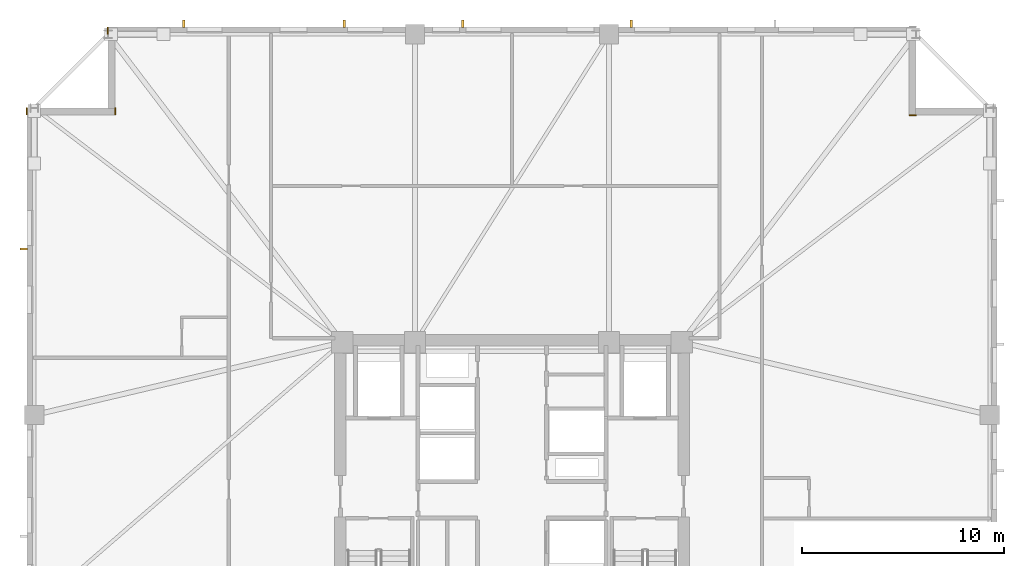
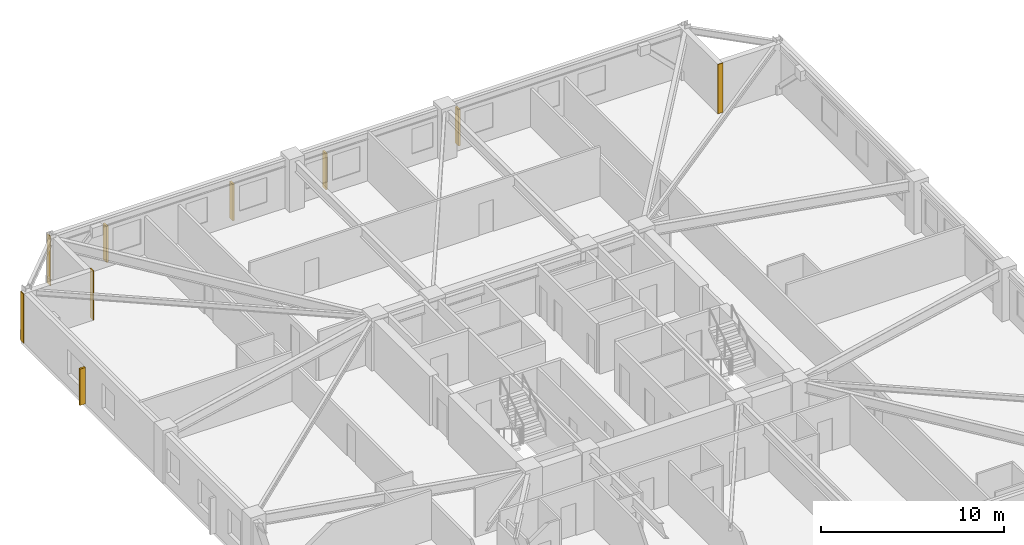
# One storey, part 9 of 10: 5 shading devices, 4 coverings.
"""IFC4 building model written with IfcOpenShell, lengths in metres."""

from ifc_helpers import new_model, si_unit, direction, frame, frame_2d, origin, origin_2d, place, context, subcontext, project, spatial, rectangle, extrude, material, layer, layer_set, type_object, element, save


model = new_model("IFC4")

# Units and contexts
model_context = context("Model", 3, precision=1e-05, world=origin(), true_north=direction((0.0, 1.0)))
body_context = subcontext(model_context, "Body", "Model", "MODEL_VIEW")
ifc_project = project(units=[si_unit("LENGTHUNIT", "METRE"), si_unit("AREAUNIT", "SQUARE_METRE"), si_unit("VOLUMEUNIT", "CUBIC_METRE"), si_unit("PLANEANGLEUNIT", "RADIAN"), si_unit("MASSUNIT", "GRAM", prefix="KILO")], contexts=[model_context])

# Site, building, storey
site_placement = place(None, origin())
site = spatial("IfcSite", under=ifc_project, at=site_placement, CompositionType="ELEMENT")
building_placement = place(site_placement, origin())
building = spatial("IfcBuilding", under=site, at=building_placement, Name="Cairnveth Concourse Tower", CompositionType="ELEMENT")
storey_placement = place(building_placement, frame((0.0, 0.0, 144.5)))
storey = spatial("IfcBuildingStorey", under=building, at=storey_placement, Name="L39", CompositionType="ELEMENT", Elevation=144.5)

# Coverings
ifc_material_1 = material(Name="Dressed Melbourne Bluestone Cladding", Category="masonry")
ifc_layer = layer(ifc_material_1, 0.050048828125)
ifc_layer_set = layer_set([ifc_layer], Name="Dressed Melbourne Bluestone Cladding")
covering_type = type_object("IfcCoveringType", Name="DRESSED BLUESTONE PLINTH CLADDING 50", PredefinedType="CLADDING", material=ifc_layer_set)
for number, where, z_axis, x_axis, name in (
    (1, (27.97998046875, 58.659912109375, 0.0), (0.0, 0.0, 1.0), (0.0, 1.0, 0.0), "Melbourne Bluestone Corner Quoin L39-567"),
    (2, (32.360107421875, 58.659912109375, 0.0), (0.0, 0.0, 1.0), (0.0, 1.0, 0.0), "Melbourne Bluestone Corner Quoin L39-568"),
    (3, (31.97998046875, 62.659912109375, 0.0), (0.0, 0.0, 1.0), (0.0, 1.0, 0.0), "Melbourne Bluestone Corner Quoin L39-569"),
    (4, (71.659912109375, 58.639892578125, 0.0), (0.0, 0.0, 1.0), (1.0, 0.0, 0.0), "Melbourne Bluestone Corner Quoin L39-571"),
):
    element("IfcCovering", number, at=place(storey_placement, frame(where, z_axis=z_axis, x_axis=x_axis)), inside=storey, type_object=covering_type, Name=name, PredefinedType="CLADDING", context=body_context, shape_type="SweptSolid", body=[
        extrude(rectangle(XDim=0.340087890625, YDim=0.050048828125, at=frame_2d((0.169921875, 0.0))), origin(), (0.0, 0.0, 1.0), 3.280029296875),
    ])

# Shading devices
ifc_material_2 = material(Name="Architectural Bronze Anodised Aluminium 6063-T6", Category="aluminium")
shading_device_type = type_object("IfcShadingDeviceType", Name="GOTHIC BRONZE VERTICAL LANCET FIN", PredefinedType="USERDEFINED", material=ifc_material_2)
for number, where, z_axis, x_axis, name in (
    (5, (27.824951171875, 52.020263671875, 0.030029296875), (0.0, 0.0, 1.0), (0.0, 1.0, 0.0), "Gothic Bronze Vertical Fin L39-3-9"),
    (6, (35.74169921875, 63.175048828125, 0.030029296875), (0.0, 0.0, 1.0), (1.0, 0.0, 0.0), "Gothic Bronze Vertical Fin L39-6-1"),
    (7, (43.698974609375, 63.175048828125, 0.030029296875), (0.0, 0.0, 1.0), (1.0, 0.0, 0.0), "Gothic Bronze Vertical Fin L39-6-3"),
    (8, (49.555908203125, 63.175048828125, 0.030029296875), (0.0, 0.0, 1.0), (1.0, 0.0, 0.0), "Gothic Bronze Vertical Fin L39-6-5"),
    (9, (57.9130859375, 63.175048828125, 0.030029296875), (0.0, 0.0, 1.0), (1.0, 0.0, 0.0), "Gothic Bronze Vertical Fin L39-6-7"),
):
    element("IfcShadingDevice", number, at=place(storey_placement, frame(where, z_axis=z_axis, x_axis=x_axis)), inside=storey, type_object=shading_device_type, Name=name, ObjectType="VERTICAL FIN", PredefinedType="USERDEFINED", context=body_context, shape_type="SweptSolid", body=[
        extrude(rectangle(XDim=0.1201171875, YDim=0.360107421875, at=origin_2d()), origin(), (0.0, 0.0, 1.0), 2.419921875),
    ])

save(model, "model.ifc")
